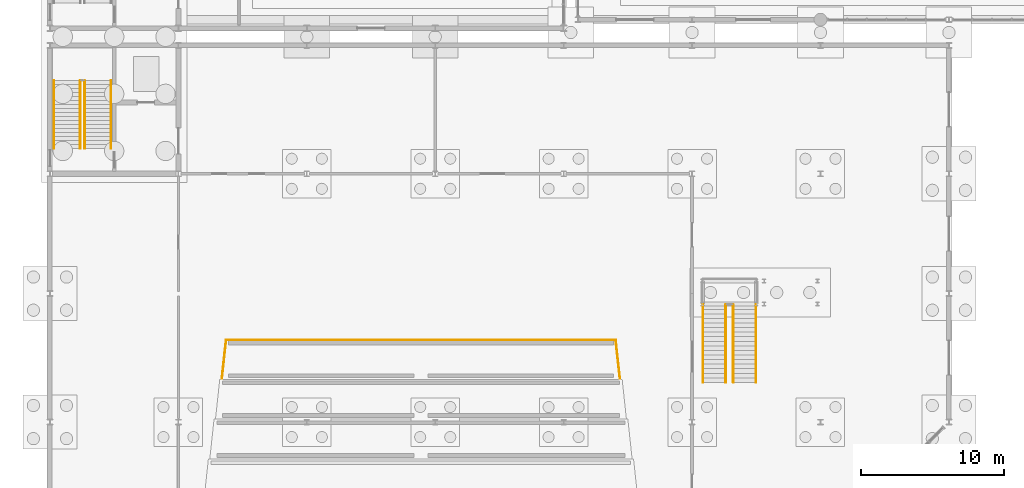
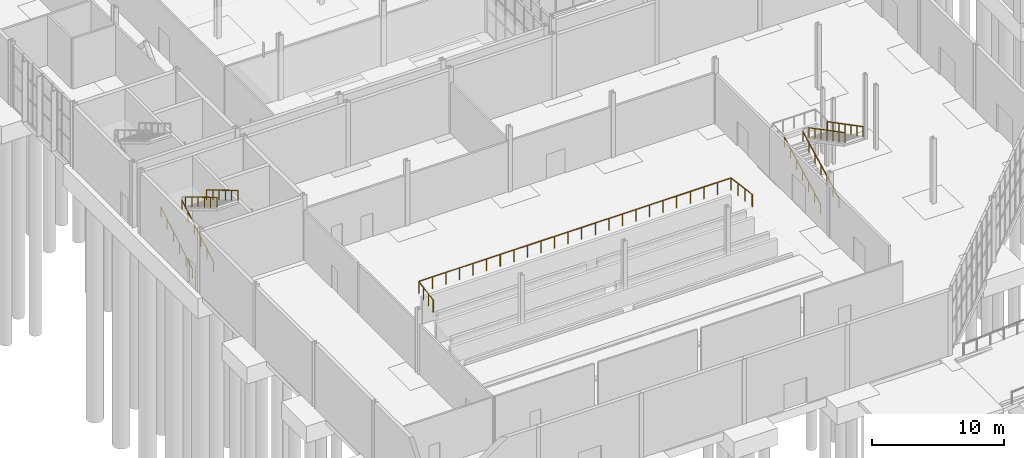
# One storey, part 115 of 131: 9 railings.
"""IFC4 building model written with IfcOpenShell, lengths in metres."""

from ifc_helpers import new_model, si_unit, direction, frame, origin, origin_2d, place, context, subcontext, project, spatial, circle, extrude, material, type_object, element, save


model = new_model("IFC4")

# Units and contexts
model_context = context("Model", 3, precision=1e-05, world=origin(), true_north=direction((0.0, 1.0)))
body_context = subcontext(model_context, "Body", "Model", "MODEL_VIEW")
ifc_project = project(units=[si_unit("LENGTHUNIT", "METRE"), si_unit("AREAUNIT", "SQUARE_METRE"), si_unit("VOLUMEUNIT", "CUBIC_METRE"), si_unit("PLANEANGLEUNIT", "RADIAN"), si_unit("MASSUNIT", "GRAM", prefix="KILO")], contexts=[model_context])

# Site, building, storey
site_placement = place(None, origin())
site = spatial("IfcSite", under=ifc_project, at=site_placement, CompositionType="ELEMENT")
building_placement = place(site_placement, origin())
building = spatial("IfcBuilding", under=site, at=building_placement, Name="Cazmaro Siding Exhibition Halls", CompositionType="ELEMENT")
storey_placement = place(building_placement, origin())
storey = spatial("IfcBuildingStorey", under=building, at=storey_placement, Name="L00", CompositionType="ELEMENT", Elevation=0.0)

# Railings
ifc_material_1 = material(Name="Interior Laminated Glass and Brushed Stainless Steel Balustrade", Category="steel")
railing_type_1 = type_object("IfcRailingType", Name="RL-BAL-02", PredefinedType="BALUSTRADE", material=ifc_material_1)
railing_1_placement = place(storey_placement, frame((12.050048828125, 30.050048828125, 2.699951171875)))
element("IfcRailing", 1, at=railing_1_placement, inside=storey, type_object=railing_type_1, Name="Auditorium Stalls Top Tier Guard RL-BAL-02 RL-G059", PredefinedType="BALUSTRADE", context=body_context, shape_type="SweptSolid", body=[
    extrude(circle(Radius=0.02392578125, at=origin_2d()), frame((0.0, 0.0, 1.09619140625), z_axis=(0.110451253797, 0.993881542506, 0.0), x_axis=(-0.993881542506, 0.110451253797, 0.0)), (0.0, 0.0, 1.0), 2.716552734375),
    extrude(circle(Radius=0.02392578125, at=origin_2d()), frame((0.300048828125, 2.699951171875, 1.09619140625), z_axis=(1.0, 0.0, 0.0), x_axis=(0.0, 1.0, 0.0)), (0.0, 0.0, 1.0), 27.2998046875),
    extrude(circle(Radius=0.02392578125, at=origin_2d()), frame((27.599853515625, 2.699951171875, 1.09619140625), z_axis=(0.110451253797, -0.993881542506, 0.0), x_axis=(0.993881542506, 0.110451253797, 0.0)), (0.0, 0.0, 1.0), 2.716552734375),
    extrude(circle(Radius=0.02099609375, at=origin_2d()), origin(), (0.0, 0.0, 1.0), 1.072021484375),
    extrude(circle(Radius=0.02099609375, at=origin_2d()), frame((0.10009765625, 0.89990234375, 0.0)), (0.0, 0.0, 1.0), 1.072021484375),
    extrude(circle(Radius=0.02099609375, at=origin_2d()), frame((0.199951171875, 1.800048828125, 0.0)), (0.0, 0.0, 1.0), 1.072021484375),
    extrude(circle(Radius=0.02099609375, at=origin_2d()), frame((0.300048828125, 2.699951171875, 0.0)), (0.0, 0.0, 1.0), 1.072021484375),
    extrude(circle(Radius=0.02099609375, at=origin_2d()), frame((1.487060546875, 2.699951171875, 0.0)), (0.0, 0.0, 1.0), 1.072021484375),
    extrude(circle(Radius=0.02099609375, at=origin_2d()), frame((2.673828125, 2.699951171875, 0.0)), (0.0, 0.0, 1.0), 1.072021484375),
    extrude(circle(Radius=0.02099609375, at=origin_2d()), frame((3.86083984375, 2.699951171875, 0.0)), (0.0, 0.0, 1.0), 1.072021484375),
    extrude(circle(Radius=0.02099609375, at=origin_2d()), frame((5.0478515625, 2.699951171875, 0.0)), (0.0, 0.0, 1.0), 1.072021484375),
    extrude(circle(Radius=0.02099609375, at=origin_2d()), frame((6.23486328125, 2.699951171875, 0.0)), (0.0, 0.0, 1.0), 1.072021484375),
    extrude(circle(Radius=0.02099609375, at=origin_2d()), frame((7.421630859375, 2.699951171875, 0.0)), (0.0, 0.0, 1.0), 1.072021484375),
    extrude(circle(Radius=0.02099609375, at=origin_2d()), frame((8.608642578125, 2.699951171875, 0.0)), (0.0, 0.0, 1.0), 1.072021484375),
    extrude(circle(Radius=0.02099609375, at=origin_2d()), frame((9.795654296875, 2.699951171875, 0.0)), (0.0, 0.0, 1.0), 1.072021484375),
    extrude(circle(Radius=0.02099609375, at=origin_2d()), frame((10.982666015625, 2.699951171875, 0.0)), (0.0, 0.0, 1.0), 1.072021484375),
    extrude(circle(Radius=0.02099609375, at=origin_2d()), frame((12.16943359375, 2.699951171875, 0.0)), (0.0, 0.0, 1.0), 1.072021484375),
    extrude(circle(Radius=0.02099609375, at=origin_2d()), frame((13.3564453125, 2.699951171875, 0.0)), (0.0, 0.0, 1.0), 1.072021484375),
    extrude(circle(Radius=0.02099609375, at=origin_2d()), frame((14.54345703125, 2.699951171875, 0.0)), (0.0, 0.0, 1.0), 1.072021484375),
    extrude(circle(Radius=0.02099609375, at=origin_2d()), frame((15.73046875, 2.699951171875, 0.0)), (0.0, 0.0, 1.0), 1.072021484375),
    extrude(circle(Radius=0.02099609375, at=origin_2d()), frame((16.917236328125, 2.699951171875, 0.0)), (0.0, 0.0, 1.0), 1.072021484375),
    extrude(circle(Radius=0.02099609375, at=origin_2d()), frame((18.104248046875, 2.699951171875, 0.0)), (0.0, 0.0, 1.0), 1.072021484375),
    extrude(circle(Radius=0.02099609375, at=origin_2d()), frame((19.291259765625, 2.699951171875, 0.0)), (0.0, 0.0, 1.0), 1.072021484375),
    extrude(circle(Radius=0.02099609375, at=origin_2d()), frame((20.478271484375, 2.699951171875, 0.0)), (0.0, 0.0, 1.0), 1.072021484375),
    extrude(circle(Radius=0.02099609375, at=origin_2d()), frame((21.6650390625, 2.699951171875, 0.0)), (0.0, 0.0, 1.0), 1.072021484375),
    extrude(circle(Radius=0.02099609375, at=origin_2d()), frame((22.85205078125, 2.699951171875, 0.0)), (0.0, 0.0, 1.0), 1.072021484375),
    extrude(circle(Radius=0.02099609375, at=origin_2d()), frame((24.0390625, 2.699951171875, 0.0)), (0.0, 0.0, 1.0), 1.072021484375),
    extrude(circle(Radius=0.02099609375, at=origin_2d()), frame((25.22607421875, 2.699951171875, 0.0)), (0.0, 0.0, 1.0), 1.072021484375),
    extrude(circle(Radius=0.02099609375, at=origin_2d()), frame((26.412841796875, 2.699951171875, 0.0)), (0.0, 0.0, 1.0), 1.072021484375),
    extrude(circle(Radius=0.02099609375, at=origin_2d()), frame((27.599853515625, 2.699951171875, 0.0)), (0.0, 0.0, 1.0), 1.072021484375),
    extrude(circle(Radius=0.02099609375, at=origin_2d()), frame((27.699951171875, 1.800048828125, 0.0)), (0.0, 0.0, 1.0), 1.072021484375),
    extrude(circle(Radius=0.02099609375, at=origin_2d()), frame((27.7998046875, 0.89990234375, 0.0)), (0.0, 0.0, 1.0), 1.072021484375),
    extrude(circle(Radius=0.02099609375, at=origin_2d()), frame((27.89990234375, 0.0, 0.0)), (0.0, 0.0, 1.0), 1.072021484375),
])
ifc_material_2 = material(Name="Brushed Stainless Steel Tubular Handrail", Category="steel")
railing_type_2 = type_object("IfcRailingType", Name="RL-HR-01", PredefinedType="HANDRAIL", material=ifc_material_2)
railing_2_placement = place(storey_placement, frame((0.280029296875, 46.159912109375, 0.1669921875)))
element("IfcRailing", 2, at=railing_2_placement, inside=storey, type_object=railing_type_2, Name="ST-11 Flight 1 Handrail 1", PredefinedType="HANDRAIL", context=body_context, shape_type="SweptSolid", body=[
    extrude(circle(Radius=0.02392578125, at=origin_2d()), frame((0.0, 0.0, 0.89599609375), z_axis=(0.0, 0.859319172962, 0.511439692417), x_axis=(-1.0, 0.0, 0.0)), (0.0, 0.0, 1.0), 5.539306640625),
    extrude(circle(Radius=0.02099609375, at=origin_2d()), origin(), (0.0, 0.0, 1.0), 0.871826171875),
    extrude(circle(Radius=0.02099609375, at=origin_2d()), frame((0.0, 0.951904296875, 0.566650390625)), (0.0, 0.0, 1.0), 0.871826171875),
    extrude(circle(Radius=0.02099609375, at=origin_2d()), frame((0.0, 1.904052734375, 1.13330078125)), (0.0, 0.0, 1.0), 0.871826171875),
    extrude(circle(Radius=0.02099609375, at=origin_2d()), frame((0.0, 2.85595703125, 1.69970703125)), (0.0, 0.0, 1.0), 0.871826171875),
    extrude(circle(Radius=0.02099609375, at=origin_2d()), frame((0.0, 3.80810546875, 2.266357421875)), (0.0, 0.0, 1.0), 0.871826171875),
    extrude(circle(Radius=0.02099609375, at=origin_2d()), frame((0.0, 4.760009765625, 2.8330078125)), (0.0, 0.0, 1.0), 0.871826171875),
])
railing_3_placement = place(storey_placement, frame((2.43505859375, 50.919921875, 3.1669921875)))
element("IfcRailing", 3, at=railing_3_placement, inside=storey, type_object=railing_type_2, Name="ST-11 Flight 2 Handrail 1", PredefinedType="HANDRAIL", context=body_context, shape_type="SweptSolid", body=[
    extrude(circle(Radius=0.02392578125, at=origin_2d()), frame((0.0, 0.0, 0.89599609375), z_axis=(0.0, -0.859319172962, 0.511439692417), x_axis=(1.0, 0.0, 0.0)), (0.0, 0.0, 1.0), 5.539306640625),
    extrude(circle(Radius=0.02099609375, at=origin_2d()), origin(), (0.0, 0.0, 1.0), 0.871826171875),
    extrude(circle(Radius=0.02099609375, at=origin_2d()), frame((0.0, -0.951904296875, 0.566650390625)), (0.0, 0.0, 1.0), 0.871826171875),
    extrude(circle(Radius=0.02099609375, at=origin_2d()), frame((0.0, -1.904052734375, 1.13330078125)), (0.0, 0.0, 1.0), 0.871826171875),
    extrude(circle(Radius=0.02099609375, at=origin_2d()), frame((0.0, -2.85595703125, 1.69970703125)), (0.0, 0.0, 1.0), 0.871826171875),
    extrude(circle(Radius=0.02099609375, at=origin_2d()), frame((0.0, -3.80810546875, 2.266357421875)), (0.0, 0.0, 1.0), 0.871826171875),
    extrude(circle(Radius=0.02099609375, at=origin_2d()), frame((0.0, -4.760009765625, 2.8330078125)), (0.0, 0.0, 1.0), 0.871826171875),
])
railing_4_placement = place(storey_placement, frame((2.1201171875, 46.159912109375, 0.1669921875)))
element("IfcRailing", 4, at=railing_4_placement, inside=storey, type_object=railing_type_2, Name="ST-11 Flight 1 Handrail 2", PredefinedType="HANDRAIL", context=body_context, shape_type="SweptSolid", body=[
    extrude(circle(Radius=0.02392578125, at=origin_2d()), frame((0.0, 0.0, 0.89599609375), z_axis=(0.0, 0.859319172962, 0.511439692417), x_axis=(-1.0, 0.0, 0.0)), (0.0, 0.0, 1.0), 5.539306640625),
    extrude(circle(Radius=0.02099609375, at=origin_2d()), origin(), (0.0, 0.0, 1.0), 0.871826171875),
    extrude(circle(Radius=0.02099609375, at=origin_2d()), frame((0.0, 0.951904296875, 0.566650390625)), (0.0, 0.0, 1.0), 0.871826171875),
    extrude(circle(Radius=0.02099609375, at=origin_2d()), frame((0.0, 1.904052734375, 1.13330078125)), (0.0, 0.0, 1.0), 0.871826171875),
    extrude(circle(Radius=0.02099609375, at=origin_2d()), frame((0.0, 2.85595703125, 1.69970703125)), (0.0, 0.0, 1.0), 0.871826171875),
    extrude(circle(Radius=0.02099609375, at=origin_2d()), frame((0.0, 3.80810546875, 2.266357421875)), (0.0, 0.0, 1.0), 0.871826171875),
    extrude(circle(Radius=0.02099609375, at=origin_2d()), frame((0.0, 4.760009765625, 2.8330078125)), (0.0, 0.0, 1.0), 0.871826171875),
])
railing_5_placement = place(storey_placement, frame((4.27490234375, 50.919921875, 3.1669921875)))
element("IfcRailing", 5, at=railing_5_placement, inside=storey, type_object=railing_type_2, Name="ST-11 Flight 2 Handrail 2", PredefinedType="HANDRAIL", context=body_context, shape_type="SweptSolid", body=[
    extrude(circle(Radius=0.02392578125, at=origin_2d()), frame((0.0, 0.0, 0.89599609375), z_axis=(0.0, -0.859319172962, 0.511439692417), x_axis=(1.0, 0.0, 0.0)), (0.0, 0.0, 1.0), 5.539306640625),
    extrude(circle(Radius=0.02099609375, at=origin_2d()), origin(), (0.0, 0.0, 1.0), 0.871826171875),
    extrude(circle(Radius=0.02099609375, at=origin_2d()), frame((0.0, -0.951904296875, 0.566650390625)), (0.0, 0.0, 1.0), 0.871826171875),
    extrude(circle(Radius=0.02099609375, at=origin_2d()), frame((0.0, -1.904052734375, 1.13330078125)), (0.0, 0.0, 1.0), 0.871826171875),
    extrude(circle(Radius=0.02099609375, at=origin_2d()), frame((0.0, -2.85595703125, 1.69970703125)), (0.0, 0.0, 1.0), 0.871826171875),
    extrude(circle(Radius=0.02099609375, at=origin_2d()), frame((0.0, -3.80810546875, 2.266357421875)), (0.0, 0.0, 1.0), 0.871826171875),
    extrude(circle(Radius=0.02099609375, at=origin_2d()), frame((0.0, -4.760009765625, 2.8330078125)), (0.0, 0.0, 1.0), 0.871826171875),
])
railing_6_placement = place(storey_placement, frame((45.760009765625, 29.780029296875, 0.1669921875)))
element("IfcRailing", 6, at=railing_6_placement, inside=storey, type_object=railing_type_2, Name="ST-26 Flight 1 Handrail 1", PredefinedType="HANDRAIL", context=body_context, shape_type="SweptSolid", body=[
    extrude(circle(Radius=0.02392578125, at=origin_2d()), frame((0.0, 0.0, 0.89599609375), z_axis=(0.0, 0.886933788778, 0.461896584013), x_axis=(-1.0, 0.0, 0.0)), (0.0, 0.0, 1.0), 6.133544921875),
    extrude(circle(Radius=0.02099609375, at=origin_2d()), origin(), (0.0, 0.0, 1.0), 0.871826171875),
    extrude(circle(Radius=0.02099609375, at=origin_2d()), frame((0.0, 0.90673828125, 0.47216796875)), (0.0, 0.0, 1.0), 0.871826171875),
    extrude(circle(Radius=0.02099609375, at=origin_2d()), frame((0.0, 1.813232421875, 0.9443359375)), (0.0, 0.0, 1.0), 0.871826171875),
    extrude(circle(Radius=0.02099609375, at=origin_2d()), frame((0.0, 2.719970703125, 1.41650390625)), (0.0, 0.0, 1.0), 0.871826171875),
    extrude(circle(Radius=0.02099609375, at=origin_2d()), frame((0.0, 3.626708984375, 1.888671875)), (0.0, 0.0, 1.0), 0.871826171875),
    extrude(circle(Radius=0.02099609375, at=origin_2d()), frame((0.0, 4.533203125, 2.36083984375)), (0.0, 0.0, 1.0), 0.871826171875),
    extrude(circle(Radius=0.02099609375, at=origin_2d()), frame((0.0, 5.43994140625, 2.8330078125)), (0.0, 0.0, 1.0), 0.871826171875),
])
railing_7_placement = place(storey_placement, frame((47.889892578125, 35.219970703125, 3.1669921875)))
element("IfcRailing", 7, at=railing_7_placement, inside=storey, type_object=railing_type_2, Name="ST-26 Flight 2 Handrail 1", PredefinedType="HANDRAIL", context=body_context, shape_type="SweptSolid", body=[
    extrude(circle(Radius=0.02392578125, at=origin_2d()), frame((0.0, 0.0, 0.89599609375), z_axis=(0.0, -0.886933788778, 0.461896584013), x_axis=(1.0, 0.0, 0.0)), (0.0, 0.0, 1.0), 6.133544921875),
    extrude(circle(Radius=0.02099609375, at=origin_2d()), origin(), (0.0, 0.0, 1.0), 0.871826171875),
    extrude(circle(Radius=0.02099609375, at=origin_2d()), frame((0.0, -0.90673828125, 0.47216796875)), (0.0, 0.0, 1.0), 0.871826171875),
    extrude(circle(Radius=0.02099609375, at=origin_2d()), frame((0.0, -1.813232421875, 0.9443359375)), (0.0, 0.0, 1.0), 0.871826171875),
    extrude(circle(Radius=0.02099609375, at=origin_2d()), frame((0.0, -2.719970703125, 1.41650390625)), (0.0, 0.0, 1.0), 0.871826171875),
    extrude(circle(Radius=0.02099609375, at=origin_2d()), frame((0.0, -3.626708984375, 1.888671875)), (0.0, 0.0, 1.0), 0.871826171875),
    extrude(circle(Radius=0.02099609375, at=origin_2d()), frame((0.0, -4.533203125, 2.36083984375)), (0.0, 0.0, 1.0), 0.871826171875),
    extrude(circle(Radius=0.02099609375, at=origin_2d()), frame((0.0, -5.43994140625, 2.8330078125)), (0.0, 0.0, 1.0), 0.871826171875),
])
railing_8_placement = place(storey_placement, frame((47.360107421875, 29.780029296875, 0.1669921875)))
element("IfcRailing", 8, at=railing_8_placement, inside=storey, type_object=railing_type_2, Name="ST-26 Flight 1 Handrail 2", PredefinedType="HANDRAIL", context=body_context, shape_type="SweptSolid", body=[
    extrude(circle(Radius=0.02392578125, at=origin_2d()), frame((0.0, 0.0, 0.89599609375), z_axis=(0.0, 0.886933788778, 0.461896584013), x_axis=(-1.0, 0.0, 0.0)), (0.0, 0.0, 1.0), 6.133544921875),
    extrude(circle(Radius=0.02099609375, at=origin_2d()), origin(), (0.0, 0.0, 1.0), 0.871826171875),
    extrude(circle(Radius=0.02099609375, at=origin_2d()), frame((0.0, 0.90673828125, 0.47216796875)), (0.0, 0.0, 1.0), 0.871826171875),
    extrude(circle(Radius=0.02099609375, at=origin_2d()), frame((0.0, 1.813232421875, 0.9443359375)), (0.0, 0.0, 1.0), 0.871826171875),
    extrude(circle(Radius=0.02099609375, at=origin_2d()), frame((0.0, 2.719970703125, 1.41650390625)), (0.0, 0.0, 1.0), 0.871826171875),
    extrude(circle(Radius=0.02099609375, at=origin_2d()), frame((0.0, 3.626708984375, 1.888671875)), (0.0, 0.0, 1.0), 0.871826171875),
    extrude(circle(Radius=0.02099609375, at=origin_2d()), frame((0.0, 4.533203125, 2.36083984375)), (0.0, 0.0, 1.0), 0.871826171875),
    extrude(circle(Radius=0.02099609375, at=origin_2d()), frame((0.0, 5.43994140625, 2.8330078125)), (0.0, 0.0, 1.0), 0.871826171875),
])
railing_9_placement = place(storey_placement, frame((49.489990234375, 35.219970703125, 3.1669921875)))
element("IfcRailing", 9, at=railing_9_placement, inside=storey, type_object=railing_type_2, Name="ST-26 Flight 2 Handrail 2", PredefinedType="HANDRAIL", context=body_context, shape_type="SweptSolid", body=[
    extrude(circle(Radius=0.02392578125, at=origin_2d()), frame((0.0, 0.0, 0.89599609375), z_axis=(0.0, -0.886933788778, 0.461896584013), x_axis=(1.0, 0.0, 0.0)), (0.0, 0.0, 1.0), 6.133544921875),
    extrude(circle(Radius=0.02099609375, at=origin_2d()), origin(), (0.0, 0.0, 1.0), 0.871826171875),
    extrude(circle(Radius=0.02099609375, at=origin_2d()), frame((0.0, -0.90673828125, 0.47216796875)), (0.0, 0.0, 1.0), 0.871826171875),
    extrude(circle(Radius=0.02099609375, at=origin_2d()), frame((0.0, -1.813232421875, 0.9443359375)), (0.0, 0.0, 1.0), 0.871826171875),
    extrude(circle(Radius=0.02099609375, at=origin_2d()), frame((0.0, -2.719970703125, 1.41650390625)), (0.0, 0.0, 1.0), 0.871826171875),
    extrude(circle(Radius=0.02099609375, at=origin_2d()), frame((0.0, -3.626708984375, 1.888671875)), (0.0, 0.0, 1.0), 0.871826171875),
    extrude(circle(Radius=0.02099609375, at=origin_2d()), frame((0.0, -4.533203125, 2.36083984375)), (0.0, 0.0, 1.0), 0.871826171875),
    extrude(circle(Radius=0.02099609375, at=origin_2d()), frame((0.0, -5.43994140625, 2.8330078125)), (0.0, 0.0, 1.0), 0.871826171875),
])

save(model, "model.ifc")
